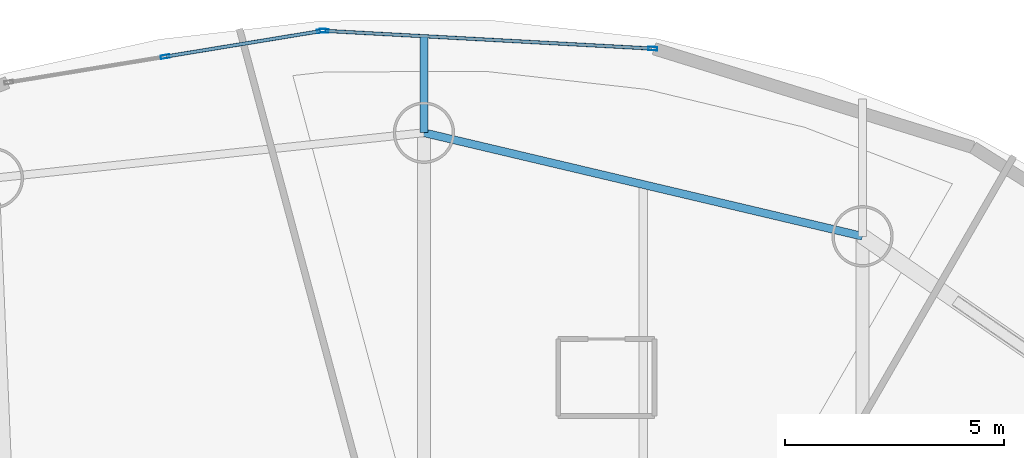
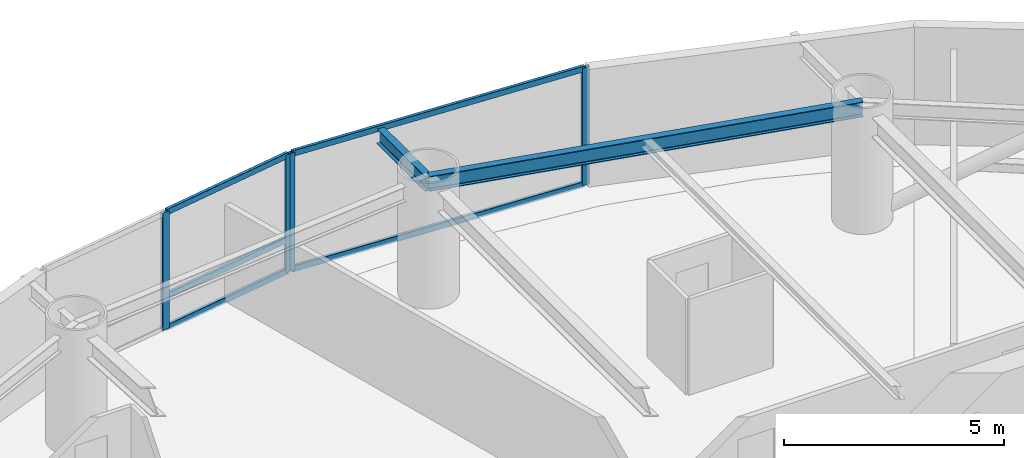
# One storey, part 13 of 20: 9 members, 2 beams, 2 elements without a shape of their own.
"""IFC4 building model written with IfcOpenShell, lengths in metres."""

import ifcopenshell
import ifcopenshell.guid

model = None  # the IFC model being written
_history = None  # IfcOwnerHistory: only IFC2X3 demands one
_inside = {}  # id of a spatial element -> (the spatial element, [elements in it])
_under = {}  # id of a project, library or spatial element -> (it, [spatial elements below it])
_declared = {}  # id of a project -> (the project, [libraries it declares])
_typed = {}  # id of a type object -> (the type object, [elements of that type])
_made_of = {}  # id of a material, layer set ... -> (it, [elements and type objects made of it])


def new_model(schema):
    """Start an empty IFC model of exactly this schema.

    Asked for "IFC4X3", IfcOpenShell would pick the latest addendum, in which some entities
    have other attributes; the version numbers below select the first issue.
    IFC2X3 requires an IfcOwnerHistory on every rooted entity: one is made here for all.
    """
    global model, _history
    if schema == "IFC4X3":
        model = ifcopenshell.file(schema_version=(4, 3, 0, 0))
    else:
        model = ifcopenshell.file(schema=schema)
    _inside.clear()
    _under.clear()
    _declared.clear()
    _typed.clear()
    _made_of.clear()
    _history = None
    if model.schema == "IFC2X3":
        org = make("IfcOrganization", Name="unknown")
        user = make(
            "IfcPersonAndOrganization",
            ThePerson=make("IfcPerson", FamilyName="unknown"),
            TheOrganization=org,
        )
        app = make(
            "IfcApplication",
            ApplicationDeveloper=org,
            Version="unknown",
            ApplicationFullName="unknown",
            ApplicationIdentifier="unknown",
        )
        _history = make(
            "IfcOwnerHistory",
            OwningUser=user,
            OwningApplication=app,
            ChangeAction="ADDED",
            CreationDate=0,
        )
    return model


def make(cls, **values):
    """One entity of the class cls with the attributes given. An attribute that is None is left unset."""
    return model.create_entity(
        cls, **{name: value for name, value in values.items() if value is not None}
    )


def rooted(cls, **values):
    """An entity with a GlobalId (a new one), such as an element, a storey or a relation."""
    return make(cls, GlobalId=ifcopenshell.guid.new(), OwnerHistory=_history, **values)


def si_unit(unit_type, name, prefix=None):
    """IfcSIUnit, for example si_unit("LENGTHUNIT", "METRE", prefix="MILLI")."""
    return make("IfcSIUnit", UnitType=unit_type, Prefix=prefix, Name=name)


def assignment(units):
    """IfcUnitAssignment: the units of a project."""
    return None if units is None else make("IfcUnitAssignment", Units=units)


def point(xyz):
    """IfcCartesianPoint."""
    return None if xyz is None else make("IfcCartesianPoint", Coordinates=xyz)


def direction(xyz):
    """IfcDirection."""
    return None if xyz is None else make("IfcDirection", DirectionRatios=xyz)


def frame(location, z_axis=None, x_axis=None):
    """IfcAxis2Placement3D, a coordinate frame: its origin and axes. An axis left out is left unset."""
    return make(
        "IfcAxis2Placement3D",
        Location=point(location),
        Axis=direction(z_axis),
        RefDirection=direction(x_axis),
    )


def frame_2d(location, x_axis=None):
    """IfcAxis2Placement2D, a coordinate frame in the plane: its origin and x axis."""
    return make(
        "IfcAxis2Placement2D", Location=point(location), RefDirection=direction(x_axis)
    )


def origin():
    """The frame at (0, 0, 0) with its axes left unset."""
    return frame((0.0, 0.0, 0.0))


def origin_2d():
    """The frame at (0, 0) in the plane with its x axis left unset."""
    return frame_2d((0.0, 0.0))


def place(relative_to, where):
    """IfcLocalPlacement: puts the frame where relative to a parent placement (None: the world)."""
    return make(
        "IfcLocalPlacement", PlacementRelTo=relative_to, RelativePlacement=where
    )


def context(
    kind, dimensions, precision=None, world=None, true_north=None, identifier=None
):
    """IfcGeometricRepresentationContext, for example the 3D "Model" context."""
    return make(
        "IfcGeometricRepresentationContext",
        ContextIdentifier=identifier,
        ContextType=kind,
        CoordinateSpaceDimension=dimensions,
        Precision=precision,
        WorldCoordinateSystem=world,
        TrueNorth=true_north,
    )


def subcontext(parent, identifier, kind, view, scale=None):
    """IfcGeometricRepresentationSubContext, for example "Body" below "Model"."""
    return make(
        "IfcGeometricRepresentationSubContext",
        ContextIdentifier=identifier,
        ContextType=kind,
        ParentContext=parent,
        TargetScale=scale,
        TargetView=view,
    )


def project(units=None, contexts=None):
    """IfcProject with its units and contexts."""
    return rooted(
        "IfcProject",
        Name="project",
        RepresentationContexts=contexts,
        UnitsInContext=assignment(units),
    )


def spatial(cls, under=None, at=None, **own):
    """A site, building, storey or space (cls), placed at a placement, below another one or the project."""
    s = rooted(cls, ObjectPlacement=at, **own)
    if under is not None:
        _under.setdefault(under.id(), (under, []))[1].append(s)
    return s


def profile(cls, at=None, kind="AREA", **sizes):
    """A parametric profile (cls). Its sizes go by their IFC names, for example OverallWidth=200.0."""
    return make(cls, ProfileType=kind, Position=at, **sizes)


def hollow_rectangle(**sizes):
    """IfcRectangleHollowProfileDef."""
    return profile("IfcRectangleHollowProfileDef", **sizes)


def i_section(**sizes):
    """IfcIShapeProfileDef."""
    return profile("IfcIShapeProfileDef", **sizes)


def extrude(swept, where, along, depth):
    """IfcExtrudedAreaSolid: the profile swept, set in the frame where, extruded along a direction by depth."""
    return make(
        "IfcExtrudedAreaSolid",
        SweptArea=swept,
        Position=where,
        ExtrudedDirection=direction(along),
        Depth=depth,
    )


def shape(context_of_items, identifier, shape_type, items):
    """IfcShapeRepresentation: the items that make up one representation, for example the "Body"."""
    return make(
        "IfcShapeRepresentation",
        ContextOfItems=context_of_items,
        RepresentationIdentifier=identifier,
        RepresentationType=shape_type,
        Items=items,
    )


def material(Name=None, Category=None):
    """IfcMaterial."""
    return make("IfcMaterial", Name=Name, Category=Category)


def layer(
    of_material, thickness, ventilated=None, Name=None, Category=None, Priority=None
):
    """IfcMaterialLayer: one layer of a wall or slab, of a material (None: an air gap)."""
    return make(
        "IfcMaterialLayer",
        Material=of_material,
        LayerThickness=thickness,
        IsVentilated=ventilated,
        Name=Name,
        Category=Category,
        Priority=Priority,
    )


def layer_set(layers, Name=None):
    """IfcMaterialLayerSet."""
    return make("IfcMaterialLayerSet", MaterialLayers=layers, LayerSetName=Name)


def material_profile(
    of_material, cross_section, Name=None, Category=None, Priority=None
):
    """IfcMaterialProfile: a cross section and its material."""
    return make(
        "IfcMaterialProfile",
        Name=Name,
        Material=of_material,
        Profile=cross_section,
        Priority=Priority,
        Category=Category,
    )


def profile_set(profiles, Name=None, composite=None):
    """IfcMaterialProfileSet."""
    return make(
        "IfcMaterialProfileSet",
        Name=Name,
        MaterialProfiles=profiles,
        CompositeProfile=composite,
    )


def made_of(thing, what):
    """Note that an element or type object is made of a material, layer set ...; save() writes the relation."""
    if what is not None:
        _made_of.setdefault(what.id(), (what, []))[1].append(thing)
    return thing


def type_object(cls, material=None, **own):
    """A type object (cls), such as IfcWallType, which elements share."""
    return made_of(rooted(cls, **own), material)


def element(
    cls,
    number,
    at=None,
    inside=None,
    cuts=None,
    type_object=None,
    material=None,
    context=None,
    identifier="Body",
    shape_type=None,
    held_by="IfcProductDefinitionShape",
    body=None,
    shapes=None,
    **own,
):
    """One element of the class cls, such as IfcWall. Its Tag is "e" and its number.

    at: its placement. inside: the storey or other place that contains it. cuts: it is an
    opening in that element (IfcRelVoidsElement). A single representation is given by context,
    identifier, shape_type and body (its items); several are given by shapes. held_by: the class
    of the entity that holds the representations. save() writes the other relations.
    """
    e = rooted(cls, Tag="e%d" % number, ObjectPlacement=at, **own)
    if body is not None:
        shapes = [shape(context, identifier, shape_type, body)]
    if shapes is not None:
        e.Representation = make(held_by, Representations=shapes)
    if inside is not None:
        _inside.setdefault(inside.id(), (inside, []))[1].append(e)
    if cuts is not None:
        rooted(
            "IfcRelVoidsElement", RelatingBuildingElement=cuts, RelatedOpeningElement=e
        )
    if type_object is not None:
        _typed.setdefault(type_object.id(), (type_object, []))[1].append(e)
    return made_of(e, material)


def aggregate(whole, parts):
    """IfcRelAggregates: a whole, such as a stair, and the parts it consists of."""
    return rooted("IfcRelAggregates", RelatingObject=whole, RelatedObjects=parts)


def save(model, path):
    """Write the relations noted so far, then the file.

    IfcRelAggregates (storeys below a building ...), IfcRelContainedInSpatialStructure (elements
    in a storey), IfcRelDefinesByType, IfcRelAssociatesMaterial and IfcRelDeclares: one each for
    every whole, place, type object, material and project.
    """
    for whole, parts in _under.values():
        aggregate(whole, parts)
    for where, things in _inside.values():
        rooted(
            "IfcRelContainedInSpatialStructure",
            RelatedElements=things,
            RelatingStructure=where,
        )
    for kind, things in _typed.values():
        rooted("IfcRelDefinesByType", RelatedObjects=things, RelatingType=kind)
    for what, things in _made_of.values():
        rooted("IfcRelAssociatesMaterial", RelatedObjects=things, RelatingMaterial=what)
    for by, libraries in _declared.values():
        rooted("IfcRelDeclares", RelatingContext=by, RelatedDefinitions=libraries)
    model.write(path)


model = new_model("IFC4")

# Units and contexts
model_context = context("Model", 3, precision=1e-05, world=origin(), true_north=direction((0.0, 1.0)))
body_context = subcontext(model_context, "Body", "Model", "MODEL_VIEW")
ifc_project = project(units=[si_unit("LENGTHUNIT", "METRE"), si_unit("AREAUNIT", "SQUARE_METRE"), si_unit("VOLUMEUNIT", "CUBIC_METRE"), si_unit("PLANEANGLEUNIT", "RADIAN"), si_unit("MASSUNIT", "GRAM", prefix="KILO")], contexts=[model_context])

# Site, building, storey
site_placement = place(None, origin())
site = spatial("IfcSite", under=ifc_project, at=site_placement, CompositionType="ELEMENT")
building_placement = place(site_placement, origin())
building = spatial("IfcBuilding", under=site, at=building_placement, Name="Bramvorn Convention Spire", CompositionType="ELEMENT")
storey_placement = place(building_placement, frame((0.0, 0.0, 130.800048828125)))
storey = spatial("IfcBuildingStorey", under=building, at=storey_placement, Name="L32", CompositionType="ELEMENT", Elevation=130.800048828125)

# Beams
ifc_material_1 = material(Name="Steel CSA G40.21 Grade 350 (350W)", Category="steel")
ifc_material_profile_1 = material_profile(ifc_material_1, i_section(OverallWidth=0.180908203125, OverallDepth=0.4169921875, WebThickness=0.010986328125, FlangeThickness=0.018310546875, FilletRadius=0.01611328125, at=origin_2d()))
ifc_profile_set_1 = profile_set([ifc_material_profile_1], Name="Steel CSA G40.21 Grade 350 (350W) - W410X85")
beam_type = type_object("IfcBeamType", Name="BM-W410X85", PredefinedType="JOIST", material=ifc_profile_set_1)
beam_1_placement = place(storey_placement, frame((46.082763671875, 44.154052734375, 3.051513671875), z_axis=(-0.97322750491, 0.229843911572, 0.0), x_axis=(-0.229843911572, -0.97322750491, 0.0)))
element("IfcBeam", 1, at=beam_1_placement, inside=storey, type_object=beam_type, Name="L32 mega-column ring beam 05", PredefinedType="JOIST", context=body_context, shape_type="SweptSolid", body=[
    extrude(i_section(OverallWidth=0.180908203125, OverallDepth=0.4169921875, WebThickness=0.010986328125, FlangeThickness=0.018310546875, FilletRadius=0.01611328125, at=origin_2d()), origin(), (0.0, 0.0, 1.0), 10.2822265625),
])
beam_2_placement = place(storey_placement, frame((36.075927734375, 46.517333984375, 3.0263671875), z_axis=(0.0, 1.0, 0.0), x_axis=(-1.0, 0.0, 0.0)))
element("IfcBeam", 2, at=beam_2_placement, inside=storey, type_object=beam_type, Name="L32 Sky-Garden cantilever tip girder MC06", PredefinedType="JOIST", context=body_context, shape_type="SweptSolid", body=[
    extrude(i_section(OverallWidth=0.180908203125, OverallDepth=0.4169921875, WebThickness=0.010986328125, FlangeThickness=0.018310546875, FilletRadius=0.01611328125, at=origin_2d()), origin(), (0.0, 0.0, 1.0), 2.21044921875),
])

# Curtain wall, members
ifc_material_2 = material(Name="Anodised Bronze Unitised Curtain Wall", Category="aluminium")
ifc_layer = layer(ifc_material_2, 0.179931640625)
ifc_layer_set = layer_set([ifc_layer], Name="Anodised Bronze Unitised Curtain Wall - CW-HTL-FRIT")
curtain_wall_type = type_object("IfcCurtainWallType", Name="CW-HTL-FRIT", PredefinedType="USERDEFINED", material=ifc_layer_set)
curtain_wall_1_placement = place(storey_placement, origin())
curtain_wall_1 = element("IfcCurtainWall", 3, at=curtain_wall_1_placement, inside=storey, type_object=curtain_wall_type, Name="L32 fritted glass curtain wall 08", ObjectType="UNITISED CURTAIN WALL", PredefinedType="USERDEFINED")
ifc_material_3 = material(Name="Anodised Bronze Aluminium 6063-T6", Category="aluminium")
ifc_material_profile_2 = material_profile(ifc_material_3, hollow_rectangle(XDim=0.080078125, YDim=0.199951171875, WallThickness=0.00390625, InnerFilletRadius=0.0009765625, OuterFilletRadius=0.00390625, at=origin_2d()))
ifc_profile_set_2 = profile_set([ifc_material_profile_2], Name="Anodised Bronze Aluminium 6063-T6 - CWM80X200")
member_type_1 = type_object("IfcMemberType", Name="CW-MUL-180", PredefinedType="MULLION", material=ifc_profile_set_2)
member_1_placement = place(storey_placement, frame((33.798583984375, 48.842529296875, 0.0), z_axis=(0.0, 0.0, 1.0), x_axis=(0.054074589229, 0.998536899068, 0.0)))
member_1 = element("IfcMember", 4, at=member_1_placement, type_object=member_type_1, Name="CW2 mullion 1", PredefinedType="MULLION", context=body_context, shape_type="SweptSolid", body=[
    extrude(hollow_rectangle(XDim=0.080078125, YDim=0.199951171875, WallThickness=0.00390625, InnerFilletRadius=0.0009765625, OuterFilletRadius=0.00390625, at=origin_2d()), origin(), (0.0, 0.0, 1.0), 3.260009765625),
])
member_2_placement = place(storey_placement, frame((41.296875, 48.4365234375, 0.0), z_axis=(0.0, 0.0, 1.0), x_axis=(0.054074589229, 0.998536899068, 0.0)))
member_2 = element("IfcMember", 5, at=member_2_placement, type_object=member_type_1, Name="CW2 mullion 2", PredefinedType="MULLION", context=body_context, shape_type="SweptSolid", body=[
    extrude(hollow_rectangle(XDim=0.080078125, YDim=0.199951171875, WallThickness=0.00390625, InnerFilletRadius=0.0009765625, OuterFilletRadius=0.00390625, at=origin_2d()), origin(), (0.0, 0.0, 1.0), 3.260009765625),
])

curtain_wall_2_placement = place(storey_placement, origin())
curtain_wall_2 = element("IfcCurtainWall", 6, at=curtain_wall_2_placement, inside=storey, type_object=curtain_wall_type, Name="L32 fritted glass curtain wall 09", ObjectType="UNITISED CURTAIN WALL", PredefinedType="USERDEFINED")
member_3_placement = place(storey_placement, frame((30.1708984375, 48.25341796875, 0.0), z_axis=(0.0, 0.0, 1.0), x_axis=(-0.162045627405, 0.986783266295, 0.0)))
member_3 = element("IfcMember", 7, at=member_3_placement, type_object=member_type_1, Name="CW2 mullion 2", PredefinedType="MULLION", context=body_context, shape_type="SweptSolid", body=[
    extrude(hollow_rectangle(XDim=0.080078125, YDim=0.199951171875, WallThickness=0.00390625, InnerFilletRadius=0.0009765625, OuterFilletRadius=0.00390625, at=origin_2d()), origin(), (0.0, 0.0, 1.0), 3.260009765625),
])
member_4_placement = place(storey_placement, frame((33.739013671875, 48.83935546875, 0.0), z_axis=(0.0, 0.0, 1.0), x_axis=(-0.162045627405, 0.986783266295, 0.0)))
member_4 = element("IfcMember", 8, at=member_4_placement, type_object=member_type_1, Name="CW2 mullion 3", PredefinedType="MULLION", context=body_context, shape_type="SweptSolid", body=[
    extrude(hollow_rectangle(XDim=0.080078125, YDim=0.199951171875, WallThickness=0.00390625, InnerFilletRadius=0.0009765625, OuterFilletRadius=0.00390625, at=origin_2d()), origin(), (0.0, 0.0, 1.0), 3.260009765625),
])

# Member
ifc_material_profile_3 = material_profile(ifc_material_3, hollow_rectangle(XDim=0.080078125, YDim=0.159912109375, WallThickness=0.00390625, InnerFilletRadius=0.0009765625, OuterFilletRadius=0.00390625, at=origin_2d()))
ifc_profile_set_3 = profile_set([ifc_material_profile_3], Name="Anodised Bronze Aluminium 6063-T6 - CWT80X160")
member_type_2 = type_object("IfcMemberType", Name="CW-TRN-150", PredefinedType="USERDEFINED", material=ifc_profile_set_3)
member_5_placement = place(storey_placement, frame((33.82861328125, 48.841064453125, 0.030029296875), z_axis=(0.998536730036, -0.054077710459, 0.0), x_axis=(0.054077710459, 0.998536730036, 0.0)))
member_5 = element("IfcMember", 9, at=member_5_placement, type_object=member_type_2, Name="CW2 transom 1.1", ObjectType="TRANSOM", PredefinedType="USERDEFINED", context=body_context, shape_type="SweptSolid", body=[
    extrude(hollow_rectangle(XDim=0.080078125, YDim=0.159912109375, WallThickness=0.00390625, InnerFilletRadius=0.0009765625, OuterFilletRadius=0.00390625, at=origin_2d()), origin(), (0.0, 0.0, 1.0), 7.44921875),
])

member_6_placement = place(storey_placement, frame((33.82861328125, 48.841064453125, 3.22998046875), z_axis=(0.998536730036, -0.054077710459, 0.0), x_axis=(0.054077710459, 0.998536730036, 0.0)))
member_6 = element("IfcMember", 10, at=member_6_placement, type_object=member_type_2, Name="CW2 transom 1.2", ObjectType="TRANSOM", PredefinedType="USERDEFINED", context=body_context, shape_type="SweptSolid", body=[
    extrude(hollow_rectangle(XDim=0.080078125, YDim=0.159912109375, WallThickness=0.00390625, InnerFilletRadius=0.0009765625, OuterFilletRadius=0.00390625, at=origin_2d()), origin(), (0.0, 0.0, 1.0), 7.44921875),
])

aggregate(curtain_wall_1, [member_1, member_2, member_5, member_6])

member_7_placement = place(storey_placement, frame((30.20068359375, 48.25830078125, 0.030029296875), z_axis=(0.986784504027, 0.162038090002, 0.0), x_axis=(-0.162038090002, 0.986784504027, 0.0)))
member_7 = element("IfcMember", 11, at=member_7_placement, type_object=member_type_2, Name="CW2 transom 2.1", ObjectType="TRANSOM", PredefinedType="USERDEFINED", context=body_context, shape_type="SweptSolid", body=[
    extrude(hollow_rectangle(XDim=0.080078125, YDim=0.159912109375, WallThickness=0.00390625, InnerFilletRadius=0.0009765625, OuterFilletRadius=0.00390625, at=origin_2d()), origin(), (0.0, 0.0, 1.0), 3.5556640625),
])

member_8_placement = place(storey_placement, frame((30.20068359375, 48.25830078125, 0.89990234375), z_axis=(0.986784504027, 0.162038090002, 0.0), x_axis=(-0.162038090002, 0.986784504027, 0.0)))
member_8 = element("IfcMember", 12, at=member_8_placement, type_object=member_type_2, Name="CW2 transom 2.2", ObjectType="TRANSOM", PredefinedType="USERDEFINED", context=body_context, shape_type="SweptSolid", body=[
    extrude(hollow_rectangle(XDim=0.080078125, YDim=0.159912109375, WallThickness=0.00390625, InnerFilletRadius=0.0009765625, OuterFilletRadius=0.00390625, at=origin_2d()), origin(), (0.0, 0.0, 1.0), 3.5556640625),
])

member_9_placement = place(storey_placement, frame((30.20068359375, 48.25830078125, 3.22998046875), z_axis=(0.986784504027, 0.162038090002, 0.0), x_axis=(-0.162038090002, 0.986784504027, 0.0)))
member_9 = element("IfcMember", 13, at=member_9_placement, type_object=member_type_2, Name="CW2 transom 2.3", ObjectType="TRANSOM", PredefinedType="USERDEFINED", context=body_context, shape_type="SweptSolid", body=[
    extrude(hollow_rectangle(XDim=0.080078125, YDim=0.159912109375, WallThickness=0.00390625, InnerFilletRadius=0.0009765625, OuterFilletRadius=0.00390625, at=origin_2d()), origin(), (0.0, 0.0, 1.0), 3.5556640625),
])

aggregate(curtain_wall_2, [member_3, member_4, member_7, member_8, member_9])

save(model, "model.ifc")
